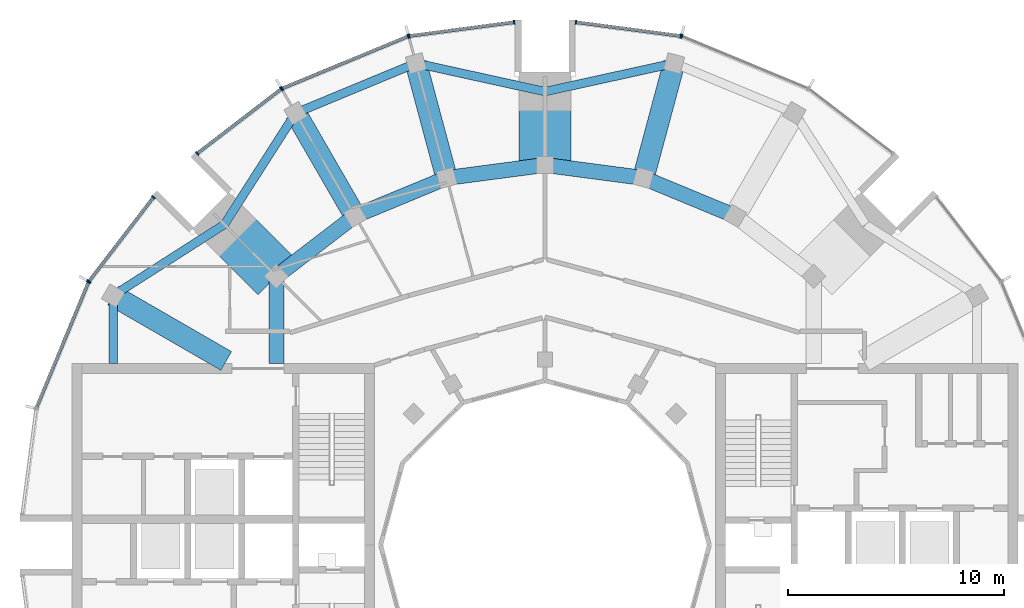
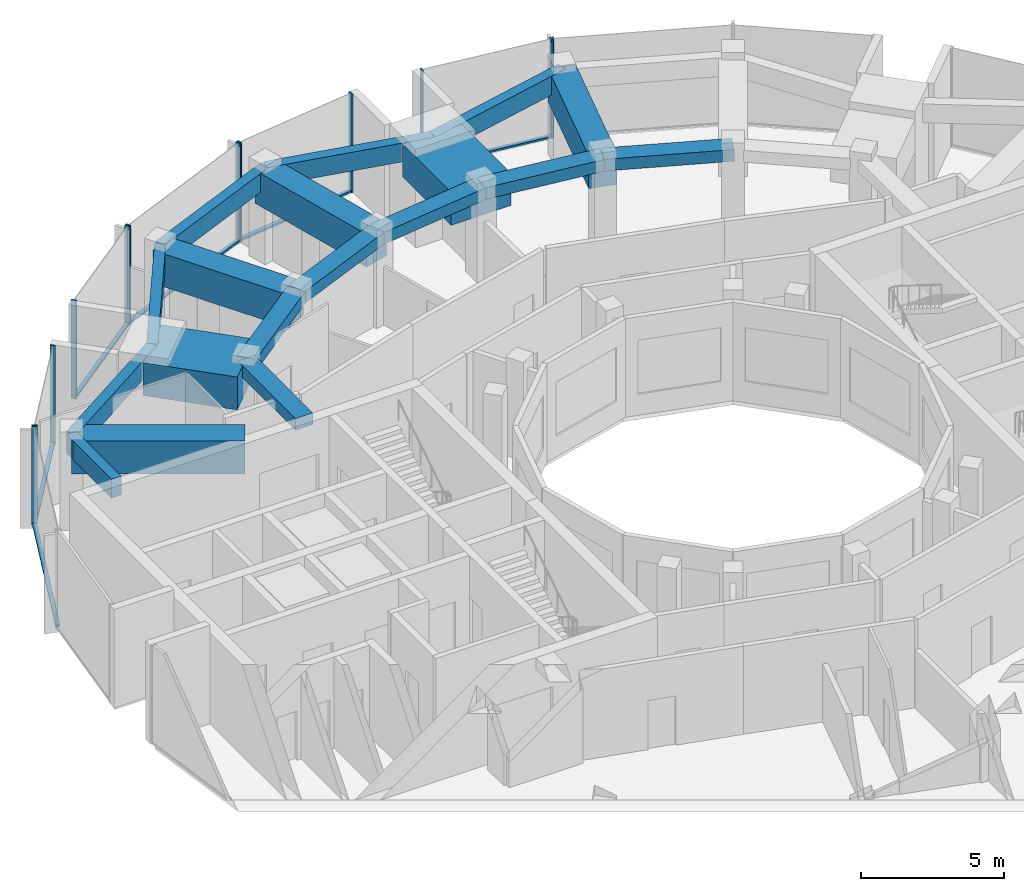
# One storey, part 5 of 14: 18 beams, 18 members, 7 elements without a shape of their own.
"""IFC4 building model written with IfcOpenShell, lengths in metres."""

from ifc_helpers import new_model, si_unit, direction, frame, origin, origin_2d, place, context, subcontext, project, spatial, rectangle, extrude, material, layer, layer_set, material_profile, profile_set, type_object, element, aggregate, save


model = new_model("IFC4")

# Units and contexts
model_context = context("Model", 3, precision=1e-05, world=origin(), true_north=direction((0.0, 1.0)))
body_context = subcontext(model_context, "Body", "Model", "MODEL_VIEW")
ifc_project = project(units=[si_unit("LENGTHUNIT", "METRE"), si_unit("AREAUNIT", "SQUARE_METRE"), si_unit("VOLUMEUNIT", "CUBIC_METRE"), si_unit("PLANEANGLEUNIT", "RADIAN"), si_unit("MASSUNIT", "GRAM", prefix="KILO")], contexts=[model_context])

# Site, building, storey
site_placement = place(None, origin())
site = spatial("IfcSite", under=ifc_project, at=site_placement, CompositionType="ELEMENT")
building_placement = place(site_placement, origin())
building = spatial("IfcBuilding", under=site, at=building_placement, Name="Torre Brocal", CompositionType="ELEMENT")
storey_placement = place(building_placement, frame((0.0, 0.0, 288.300048828125)))
storey = spatial("IfcBuildingStorey", under=building, at=storey_placement, Name="L66", CompositionType="ELEMENT", Elevation=288.300048828125)

# Curtain wall, member
ifc_material_1 = material(Name="Aluminium and glass", Category="aluminium")
ifc_layer = layer(ifc_material_1, 0.199951171875)
ifc_layer_set = layer_set([ifc_layer], Name="Aluminium and glass")
curtain_wall_type = type_object("IfcCurtainWallType", Name="CW-1 CURTAIN WALL 4200 HIGH", PredefinedType="NOTDEFINED", material=ifc_layer_set)
curtain_wall_1_placement = place(storey_placement, origin())
curtain_wall_1 = element("IfcCurtainWall", 1, at=curtain_wall_1_placement, inside=storey, type_object=curtain_wall_type, Name="CW-1 RUN 5", PredefinedType="NOTDEFINED")
ifc_material_2 = material(Name="Aluminium, dark anodised", Category="aluminium")
ifc_material_profile_1 = material_profile(ifc_material_2, rectangle(XDim=0.199951171875, YDim=0.06005859375, at=origin_2d()), Name="CW-1 MULLION 60X200")
ifc_profile_set_1 = profile_set([ifc_material_profile_1], Name="Aluminium, dark anodised")
member_type_1 = type_object("IfcMemberType", Name="CW-1 MULLION 60X200", PredefinedType="MULLION", material=ifc_profile_set_1)
member_1_placement = place(storey_placement, frame((86.3427734375, 98.556396484375, 0.0), z_axis=(0.0, 0.0, 1.0), x_axis=(-0.382683432462, -0.923879532471, 0.0)))
member_1 = element("IfcMember", 2, at=member_1_placement, type_object=member_type_1, Name="CW1-5 mullion 2", PredefinedType="MULLION", context=body_context, shape_type="SweptSolid", body=[
    extrude(rectangle(XDim=0.199951171875, YDim=0.06005859375, at=origin_2d()), origin(), (0.0, 0.0, 1.0), 4.199951171875),
])
aggregate(curtain_wall_1, [member_1])

# Curtain wall, members
curtain_wall_2_placement = place(storey_placement, origin())
curtain_wall_2 = element("IfcCurtainWall", 3, at=curtain_wall_2_placement, inside=storey, type_object=curtain_wall_type, Name="CW-1 RUN 6", PredefinedType="NOTDEFINED")
member_2_placement = place(storey_placement, frame((86.28515625, 98.57177734375, 0.0), z_axis=(0.0, 0.0, 1.0), x_axis=(-0.130526192116, -0.991444861387, 0.0)))
member_2 = element("IfcMember", 4, at=member_2_placement, type_object=member_type_1, Name="CW1-5 mullion 1", PredefinedType="MULLION", context=body_context, shape_type="SweptSolid", body=[
    extrude(rectangle(XDim=0.199951171875, YDim=0.06005859375, at=origin_2d()), origin(), (0.0, 0.0, 1.0), 4.199951171875),
])
member_3_placement = place(storey_placement, frame((81.4296875, 99.2109375, 0.0), z_axis=(0.0, 0.0, 1.0), x_axis=(-0.130526192116, -0.991444861387, 0.0)))
member_3 = element("IfcMember", 5, at=member_3_placement, type_object=member_type_1, Name="CW1-5 mullion 2", PredefinedType="MULLION", context=body_context, shape_type="SweptSolid", body=[
    extrude(rectangle(XDim=0.199951171875, YDim=0.06005859375, at=origin_2d()), origin(), (0.0, 0.0, 1.0), 4.199951171875),
])

curtain_wall_3_placement = place(storey_placement, origin())
curtain_wall_3 = element("IfcCurtainWall", 6, at=curtain_wall_3_placement, inside=storey, type_object=curtain_wall_type, Name="CW-1 RUN 7", PredefinedType="NOTDEFINED")
member_4_placement = place(storey_placement, frame((78.5703125, 99.2109375, 0.0), z_axis=(0.0, 0.0, 1.0), x_axis=(0.130526192116, -0.991444861387, 0.0)))
member_4 = element("IfcMember", 7, at=member_4_placement, type_object=member_type_1, Name="CW1-5 mullion 1", PredefinedType="MULLION", context=body_context, shape_type="SweptSolid", body=[
    extrude(rectangle(XDim=0.199951171875, YDim=0.06005859375, at=origin_2d()), origin(), (0.0, 0.0, 1.0), 4.199951171875),
])
member_5_placement = place(storey_placement, frame((73.71484375, 98.57177734375, 0.0), z_axis=(0.0, 0.0, 1.0), x_axis=(0.130526192116, -0.991444861387, 0.0)))
member_5 = element("IfcMember", 8, at=member_5_placement, type_object=member_type_1, Name="CW1-5 mullion 2", PredefinedType="MULLION", context=body_context, shape_type="SweptSolid", body=[
    extrude(rectangle(XDim=0.199951171875, YDim=0.06005859375, at=origin_2d()), origin(), (0.0, 0.0, 1.0), 4.199951171875),
])

curtain_wall_4_placement = place(storey_placement, origin())
curtain_wall_4 = element("IfcCurtainWall", 9, at=curtain_wall_4_placement, inside=storey, type_object=curtain_wall_type, Name="CW-1 RUN 8", PredefinedType="NOTDEFINED")
member_6_placement = place(storey_placement, frame((73.6572265625, 98.556396484375, 0.0), z_axis=(0.0, 0.0, 1.0), x_axis=(0.382683432462, -0.923879532471, 0.0)))
member_6 = element("IfcMember", 10, at=member_6_placement, type_object=member_type_1, Name="CW1-5 mullion 1", PredefinedType="MULLION", context=body_context, shape_type="SweptSolid", body=[
    extrude(rectangle(XDim=0.199951171875, YDim=0.06005859375, at=origin_2d()), origin(), (0.0, 0.0, 1.0), 4.199951171875),
])
member_7_placement = place(storey_placement, frame((67.828125, 96.141845703125, 0.0), z_axis=(0.0, 0.0, 1.0), x_axis=(0.382683432462, -0.923879532471, 0.0)))
member_7 = element("IfcMember", 11, at=member_7_placement, type_object=member_type_1, Name="CW1-5 mullion 2", PredefinedType="MULLION", context=body_context, shape_type="SweptSolid", body=[
    extrude(rectangle(XDim=0.199951171875, YDim=0.06005859375, at=origin_2d()), origin(), (0.0, 0.0, 1.0), 4.199951171875),
])

curtain_wall_5_placement = place(storey_placement, origin())
curtain_wall_5 = element("IfcCurtainWall", 12, at=curtain_wall_5_placement, inside=storey, type_object=curtain_wall_type, Name="CW-1 RUN 9", PredefinedType="NOTDEFINED")
member_8_placement = place(storey_placement, frame((67.776611328125, 96.112060546875, 0.0), z_axis=(0.0, 0.0, 1.0), x_axis=(0.608761428939, -0.793353340344, 0.0)))
member_8 = element("IfcMember", 13, at=member_8_placement, type_object=member_type_1, Name="CW1-5 mullion 1", PredefinedType="MULLION", context=body_context, shape_type="SweptSolid", body=[
    extrude(rectangle(XDim=0.199951171875, YDim=0.06005859375, at=origin_2d()), origin(), (0.0, 0.0, 1.0), 4.199951171875),
])
member_9_placement = place(storey_placement, frame((63.891357421875, 93.130615234375, 0.0), z_axis=(0.0, 0.0, 1.0), x_axis=(0.608761428939, -0.793353340344, 0.0)))
member_9 = element("IfcMember", 14, at=member_9_placement, type_object=member_type_1, Name="CW1-5 mullion 2", PredefinedType="MULLION", context=body_context, shape_type="SweptSolid", body=[
    extrude(rectangle(XDim=0.199951171875, YDim=0.06005859375, at=origin_2d()), origin(), (0.0, 0.0, 1.0), 4.199951171875),
])

curtain_wall_6_placement = place(storey_placement, origin())
curtain_wall_6 = element("IfcCurtainWall", 15, at=curtain_wall_6_placement, inside=storey, type_object=curtain_wall_type, Name="CW-1 RUN 10", PredefinedType="NOTDEFINED")
member_10_placement = place(storey_placement, frame((61.869384765625, 91.108642578125, 0.0), z_axis=(0.0, 0.0, 1.0), x_axis=(0.793353340344, -0.608761428939, 0.0)))
member_10 = element("IfcMember", 16, at=member_10_placement, type_object=member_type_1, Name="CW1-5 mullion 1", PredefinedType="MULLION", context=body_context, shape_type="SweptSolid", body=[
    extrude(rectangle(XDim=0.199951171875, YDim=0.06005859375, at=origin_2d()), origin(), (0.0, 0.0, 1.0), 4.199951171875),
])
member_11_placement = place(storey_placement, frame((58.887939453125, 87.223388671875, 0.0), z_axis=(0.0, 0.0, 1.0), x_axis=(0.793353340344, -0.608761428939, 0.0)))
member_11 = element("IfcMember", 17, at=member_11_placement, type_object=member_type_1, Name="CW1-5 mullion 2", PredefinedType="MULLION", context=body_context, shape_type="SweptSolid", body=[
    extrude(rectangle(XDim=0.199951171875, YDim=0.06005859375, at=origin_2d()), origin(), (0.0, 0.0, 1.0), 4.199951171875),
])

# Curtain wall, member
curtain_wall_7_placement = place(storey_placement, origin())
curtain_wall_7 = element("IfcCurtainWall", 18, at=curtain_wall_7_placement, inside=storey, type_object=curtain_wall_type, Name="CW-1 RUN 11", PredefinedType="NOTDEFINED")
member_12_placement = place(storey_placement, frame((58.858154296875, 87.171875, 0.0), z_axis=(0.0, 0.0, 1.0), x_axis=(0.923879532471, -0.382683432462, 0.0)))
member_12 = element("IfcMember", 19, at=member_12_placement, type_object=member_type_1, Name="CW1-5 mullion 1", PredefinedType="MULLION", context=body_context, shape_type="SweptSolid", body=[
    extrude(rectangle(XDim=0.199951171875, YDim=0.06005859375, at=origin_2d()), origin(), (0.0, 0.0, 1.0), 4.199951171875),
])

# Member
ifc_material_3 = material(Name="Aluminium, dark anodised", Category="aluminium")
ifc_material_profile_2 = material_profile(ifc_material_3, rectangle(XDim=0.159912109375, YDim=0.080078125, at=origin_2d()), Name="CW-1 TRANSOM 160X80")
ifc_profile_set_2 = profile_set([ifc_material_profile_2], Name="Aluminium, dark anodised")
member_type_2 = type_object("IfcMemberType", Name="CW-1 TRANSOM 160X80", PredefinedType="USERDEFINED", material=ifc_profile_set_2)
member_13_placement = place(storey_placement, frame((86.25537109375, 98.57568359375, 0.0400390625), z_axis=(-0.991446047842, 0.130517179786, 0.0), x_axis=(-0.130517179786, -0.991446047842, 0.0)))
member_13 = element("IfcMember", 20, at=member_13_placement, type_object=member_type_2, Name="CW1-5 transom 1.1", ObjectType="TRANSOM", PredefinedType="USERDEFINED", context=body_context, shape_type="SweptSolid", body=[
    extrude(rectangle(XDim=0.159912109375, YDim=0.080078125, at=origin_2d()), origin(), (0.0, 0.0, 1.0), 4.837158203125),
])

aggregate(curtain_wall_2, [member_2, member_3, member_13])

member_14_placement = place(storey_placement, frame((78.54052734375, 99.20703125, 0.0400390625), z_axis=(-0.991446047842, -0.130517179786, 0.0), x_axis=(0.130517179786, -0.991446047842, 0.0)))
member_14 = element("IfcMember", 21, at=member_14_placement, type_object=member_type_2, Name="CW1-5 transom 1.1", ObjectType="TRANSOM", PredefinedType="USERDEFINED", context=body_context, shape_type="SweptSolid", body=[
    extrude(rectangle(XDim=0.159912109375, YDim=0.080078125, at=origin_2d()), origin(), (0.0, 0.0, 1.0), 4.837158203125),
])

aggregate(curtain_wall_3, [member_4, member_5, member_14])

member_15_placement = place(storey_placement, frame((73.629638671875, 98.544677734375, 0.0400390625), z_axis=(-0.923889705363, -0.382658872004, 0.0), x_axis=(0.382658872004, -0.923889705363, 0.0)))
member_15 = element("IfcMember", 22, at=member_15_placement, type_object=member_type_2, Name="CW1-5 transom 1.1", ObjectType="TRANSOM", PredefinedType="USERDEFINED", context=body_context, shape_type="SweptSolid", body=[
    extrude(rectangle(XDim=0.159912109375, YDim=0.080078125, at=origin_2d()), origin(), (0.0, 0.0, 1.0), 6.249267578125),
])

aggregate(curtain_wall_4, [member_6, member_7, member_15])

member_16_placement = place(storey_placement, frame((67.7529296875, 96.09375, 0.0400390625), z_axis=(-0.793362608569, -0.608749350163, 0.0), x_axis=(0.608749350163, -0.793362608569, 0.0)))
member_16 = element("IfcMember", 23, at=member_16_placement, type_object=member_type_2, Name="CW1-5 transom 1.1", ObjectType="TRANSOM", PredefinedType="USERDEFINED", context=body_context, shape_type="SweptSolid", body=[
    extrude(rectangle(XDim=0.159912109375, YDim=0.080078125, at=origin_2d()), origin(), (0.0, 0.0, 1.0), 4.83740234375),
])

aggregate(curtain_wall_5, [member_8, member_9, member_16])

member_17_placement = place(storey_placement, frame((61.85107421875, 91.0849609375, 0.0400390625), z_axis=(-0.608749350163, -0.793362608569, 0.0), x_axis=(0.793362608569, -0.608749350163, 0.0)))
member_17 = element("IfcMember", 24, at=member_17_placement, type_object=member_type_2, Name="CW1-5 transom 1.1", ObjectType="TRANSOM", PredefinedType="USERDEFINED", context=body_context, shape_type="SweptSolid", body=[
    extrude(rectangle(XDim=0.159912109375, YDim=0.080078125, at=origin_2d()), origin(), (0.0, 0.0, 1.0), 4.83740234375),
])

aggregate(curtain_wall_6, [member_10, member_11, member_17])

member_18_placement = place(storey_placement, frame((58.8466796875, 87.14404296875, 0.0400390625), z_axis=(-0.382658872004, -0.923889705363, 0.0), x_axis=(0.923889705363, -0.382658872004, 0.0)))
member_18 = element("IfcMember", 25, at=member_18_placement, type_object=member_type_2, Name="CW1-5 transom 1.1", ObjectType="TRANSOM", PredefinedType="USERDEFINED", context=body_context, shape_type="SweptSolid", body=[
    extrude(rectangle(XDim=0.159912109375, YDim=0.080078125, at=origin_2d()), origin(), (0.0, 0.0, 1.0), 6.249267578125),
])

aggregate(curtain_wall_7, [member_12, member_18])

# Beams
ifc_material_4 = material(Name="Concrete C50", Category="concrete")
ifc_material_profile_3 = material_profile(ifc_material_4, rectangle(XDim=0.699951171875, YDim=0.5, at=origin_2d()), Name="RC 700X500")
ifc_profile_set_3 = profile_set([ifc_material_profile_3], Name="Concrete C50")
beam_type_1 = type_object("IfcBeamType", Name="RC BEAM 700X500 C50 TOP 3880", PredefinedType="BEAM", material=ifc_profile_set_3)
beam_1_placement = place(storey_placement, frame((88.800048828125, 90.241943359375, 3.6298828125), z_axis=(-0.923878240166, 0.382686552348, 0.0), x_axis=(-0.382686552348, -0.923878240166, 0.0)))
element("IfcBeam", 26, at=beam_1_placement, inside=storey, type_object=beam_type_1, Name="Beam BT-37", PredefinedType="BEAM", context=body_context, shape_type="SweptSolid", body=[
    extrude(rectangle(XDim=0.699951171875, YDim=0.5, at=origin_2d()), origin(), (0.0, 0.0, 1.0), 4.5947265625),
])
for number, where, z_axis, x_axis, name in (
    (27, (84.55517578125, 92.000244140625, 3.6298828125), (-0.991440544449, 0.130558978332, 0.0), (-0.130558978332, -0.991440544449, 0.0), "Beam BT-37"),
    (28, (80.0, 92.60009765625, 3.6298828125), (-0.991440544449, -0.130558978332, 0.0), (0.130558978332, -0.991440544449, 0.0), "Beam BT-37"),
):
    element("IfcBeam", number, at=place(storey_placement, frame(where, z_axis=z_axis, x_axis=x_axis)), inside=storey, type_object=beam_type_1, Name=name, PredefinedType="BEAM", context=body_context, shape_type="SweptSolid", body=[
        extrude(rectangle(XDim=0.699951171875, YDim=0.5, at=origin_2d()), origin(), (0.0, 0.0, 1.0), 4.594482421875),
    ])
beam_2_placement = place(storey_placement, frame((75.44482421875, 92.000244140625, 3.6298828125), z_axis=(-0.923878240166, -0.382686552348, 0.0), x_axis=(0.382686552348, -0.923878240166, 0.0)))
element("IfcBeam", 29, at=beam_2_placement, inside=storey, type_object=beam_type_1, Name="Beam BT-37", PredefinedType="BEAM", context=body_context, shape_type="SweptSolid", body=[
    extrude(rectangle(XDim=0.699951171875, YDim=0.5, at=origin_2d()), origin(), (0.0, 0.0, 1.0), 4.5947265625),
])
beam_3_placement = place(storey_placement, frame((71.199951171875, 90.241943359375, 3.6298828125), z_axis=(-0.793358265959, -0.6087550097, 0.0), x_axis=(0.6087550097, -0.793358265959, 0.0)))
element("IfcBeam", 30, at=beam_3_placement, inside=storey, type_object=beam_type_1, Name="Beam BT-37", PredefinedType="BEAM", context=body_context, shape_type="SweptSolid", body=[
    extrude(rectangle(XDim=0.699951171875, YDim=0.5, at=origin_2d()), origin(), (0.0, 0.0, 1.0), 4.594482421875),
])
beam_4_placement = place(storey_placement, frame((67.554931640625, 87.445068359375, 3.6298828125), z_axis=(0.0, -1.0, 0.0), x_axis=(1.0, 0.0, 0.0)))
element("IfcBeam", 31, at=beam_4_placement, inside=storey, type_object=beam_type_1, Name="Beam BT-37", PredefinedType="BEAM", context=body_context, shape_type="SweptSolid", body=[
    extrude(rectangle(XDim=0.699951171875, YDim=0.5, at=origin_2d()), origin(), (0.0, 0.0, 1.0), 4.045166015625),
])
ifc_material_5 = material(Name="Concrete C50", Category="concrete")
ifc_material_profile_4 = material_profile(ifc_material_5, rectangle(XDim=0.39990234375, YDim=0.800048828125, at=origin_2d()), Name="RC 400X800")
ifc_profile_set_4 = profile_set([ifc_material_profile_4], Name="Concrete C50")
beam_type_2 = type_object("IfcBeamType", Name="RC SPANDREL BEAM 400X800 C50 TOP 3880", PredefinedType="SPANDREL", material=ifc_profile_set_4)
for number, where, z_axis, x_axis, name in (
    (32, (85.978759765625, 97.31298828125, 3.47998046875), (-0.976724578001, -0.214497316366, 0.0), (0.214497316366, -0.976724578001, 0.0), "Beam BT-47"),
    (33, (80.0, 96.0, 3.47998046875), (-0.976724578001, 0.214497316366, 0.0), (-0.214497316366, -0.976724578001, 0.0), "Beam BT-47"),
):
    element("IfcBeam", number, at=place(storey_placement, frame(where, z_axis=z_axis, x_axis=x_axis)), inside=storey, type_object=beam_type_2, Name=name, PredefinedType="SPANDREL", context=body_context, shape_type="SweptSolid", body=[
        extrude(rectangle(XDim=0.39990234375, YDim=0.800048828125, at=origin_2d()), origin(), (0.0, 0.0, 1.0), 6.121337890625),
    ])
beam_5_placement = place(storey_placement, frame((74.021240234375, 97.31298828125, 3.47998046875), z_axis=(-0.923870278372, -0.38270577307, 0.0), x_axis=(0.38270577307, -0.923870278372, 0.0)))
element("IfcBeam", 34, at=beam_5_placement, inside=storey, type_object=beam_type_2, Name="Beam BT-47", PredefinedType="SPANDREL", context=body_context, shape_type="SweptSolid", body=[
    extrude(rectangle(XDim=0.39990234375, YDim=0.800048828125, at=origin_2d()), origin(), (0.0, 0.0, 1.0), 6.0302734375),
])
for number, where, z_axis, x_axis, name in (
    (35, (68.449951171875, 95.005126953125, 3.47998046875), (-0.538964280647, -0.842328620069, 0.0), (0.842328620069, -0.538964280647, 0.0), "Beam BT-47"),
    (36, (65.15087890625, 89.84912109375, 3.47998046875), (-0.842328620069, -0.538964280647, 0.0), (0.538964280647, -0.842328620069, 0.0), "Beam BT-47"),
):
    element("IfcBeam", number, at=place(storey_placement, frame(where, z_axis=z_axis, x_axis=x_axis)), inside=storey, type_object=beam_type_2, Name=name, PredefinedType="SPANDREL", context=body_context, shape_type="SweptSolid", body=[
        extrude(rectangle(XDim=0.39990234375, YDim=0.800048828125, at=origin_2d()), origin(), (0.0, 0.0, 1.0), 6.12109375),
    ])
beam_6_placement = place(storey_placement, frame((59.994873046875, 86.550048828125, 3.47998046875), z_axis=(0.0, -1.0, 0.0), x_axis=(1.0, 0.0, 0.0)))
element("IfcBeam", 37, at=beam_6_placement, inside=storey, type_object=beam_type_2, Name="Beam BT-47", PredefinedType="SPANDREL", context=body_context, shape_type="SweptSolid", body=[
    extrude(rectangle(XDim=0.39990234375, YDim=0.800048828125, at=origin_2d()), origin(), (0.0, 0.0, 1.0), 3.150146484375),
])
ifc_material_6 = material(Name="Concrete C60", Category="concrete")
ifc_material_profile_5 = material_profile(ifc_material_6, rectangle(XDim=1.0, YDim=1.39990234375, at=origin_2d()), Name="RC 1000X1400")
ifc_profile_set_5 = profile_set([ifc_material_profile_5], Name="Concrete C60")
beam_type_3 = type_object("IfcBeamType", Name="RC TRANSFER GIRDER 1000X1400 C60 TOP 3880", PredefinedType="BEAM", material=ifc_profile_set_5)
beam_7_placement = place(storey_placement, frame((65.234375, 83.52490234375, 3.179931640625), z_axis=(-0.866016913815, 0.50001470477, 0.0), x_axis=(-0.50001470477, -0.866016913815, 0.0)))
element("IfcBeam", 38, at=beam_7_placement, inside=storey, type_object=beam_type_3, Name="Beam TG-07", PredefinedType="BEAM", context=body_context, shape_type="SweptSolid", body=[
    extrude(rectangle(XDim=1.0, YDim=1.39990234375, at=origin_2d()), origin(), (0.0, 0.0, 1.0), 6.050048828125),
])
beam_8_placement = place(storey_placement, frame((71.199951171875, 90.241943359375, 3.179931640625), z_axis=(-0.499996545922, 0.866027397988, 0.0), x_axis=(-0.866027397988, -0.499996545922, 0.0)))
element("IfcBeam", 39, at=beam_8_placement, inside=storey, type_object=beam_type_3, Name="Beam TG-07", PredefinedType="BEAM", context=body_context, shape_type="SweptSolid", body=[
    extrude(rectangle(XDim=1.0, YDim=1.39990234375, at=origin_2d()), origin(), (0.0, 0.0, 1.0), 5.5),
])
for number, where, z_axis, x_axis, name in (
    (40, (75.44482421875, 92.000244140625, 3.179931640625), (-0.258825572984, 0.965924077125, 0.0), (-0.965924077125, -0.258825572984, 0.0), "Beam TG-07"),
    (41, (84.55517578125, 92.000244140625, 3.179931640625), (0.258825572984, 0.965924077125, 0.0), (-0.965924077125, 0.258825572984, 0.0), "Beam TG-07"),
):
    element("IfcBeam", number, at=place(storey_placement, frame(where, z_axis=z_axis, x_axis=x_axis)), inside=storey, type_object=beam_type_3, Name=name, PredefinedType="BEAM", context=body_context, shape_type="SweptSolid", body=[
        extrude(rectangle(XDim=1.0, YDim=1.39990234375, at=origin_2d()), origin(), (0.0, 0.0, 1.0), 5.500244140625),
    ])
ifc_material_7 = material(Name="Concrete C60", Category="concrete")
ifc_material_profile_6 = material_profile(ifc_material_7, rectangle(XDim=2.39990234375, YDim=1.39990234375, at=origin_2d()), Name="RC 2400X1400")
ifc_profile_set_6 = profile_set([ifc_material_profile_6], Name="Concrete C60")
beam_type_4 = type_object("IfcBeamType", Name="RC TRANSFER GIRDER 2400X1400 C60 TOP 3880", PredefinedType="BEAM", material=ifc_profile_set_6)
for number, where, z_axis, x_axis, name in (
    (42, (67.554931640625, 87.445068359375, 3.179931640625), (-0.707106781187, 0.707106781187, 0.0), (-0.707106781187, -0.707106781187, 0.0), "Beam TG-08"),
    (43, (80.0, 92.60009765625, 3.179931640625), (0.0, 1.0, 0.0), (-1.0, 0.0, 0.0), "Beam TG-08"),
):
    element("IfcBeam", number, at=place(storey_placement, frame(where, z_axis=z_axis, x_axis=x_axis)), inside=storey, type_object=beam_type_4, Name=name, PredefinedType="BEAM", context=body_context, shape_type="SweptSolid", body=[
        extrude(rectangle(XDim=2.39990234375, YDim=1.39990234375, at=origin_2d()), origin(), (0.0, 0.0, 1.0), 3.39990234375),
    ])

save(model, "model.ifc")
